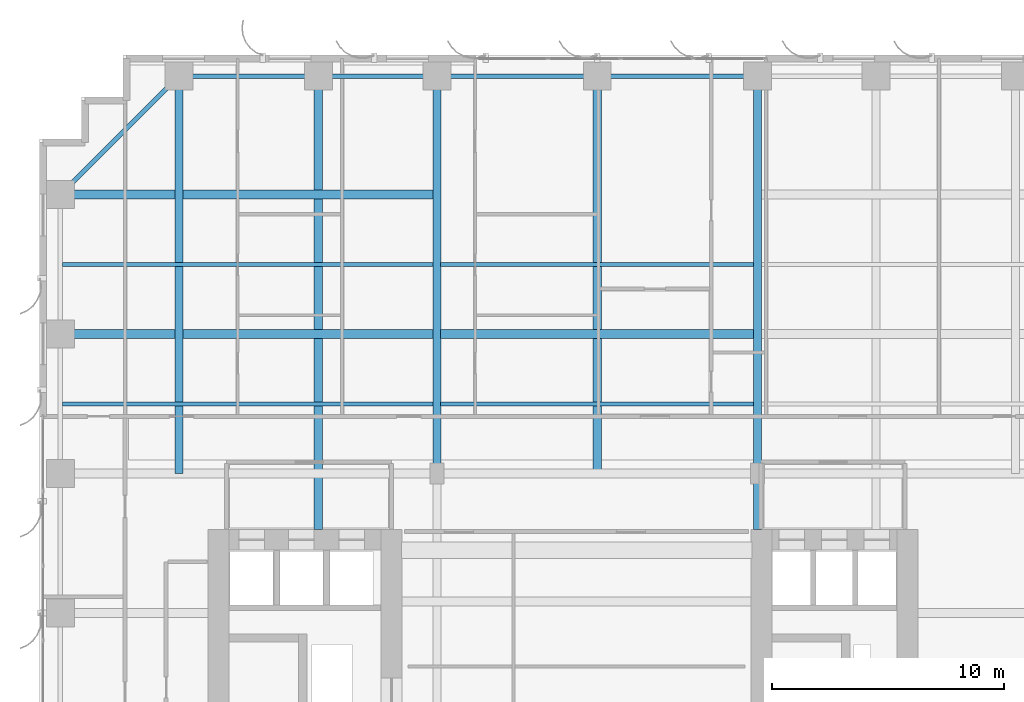
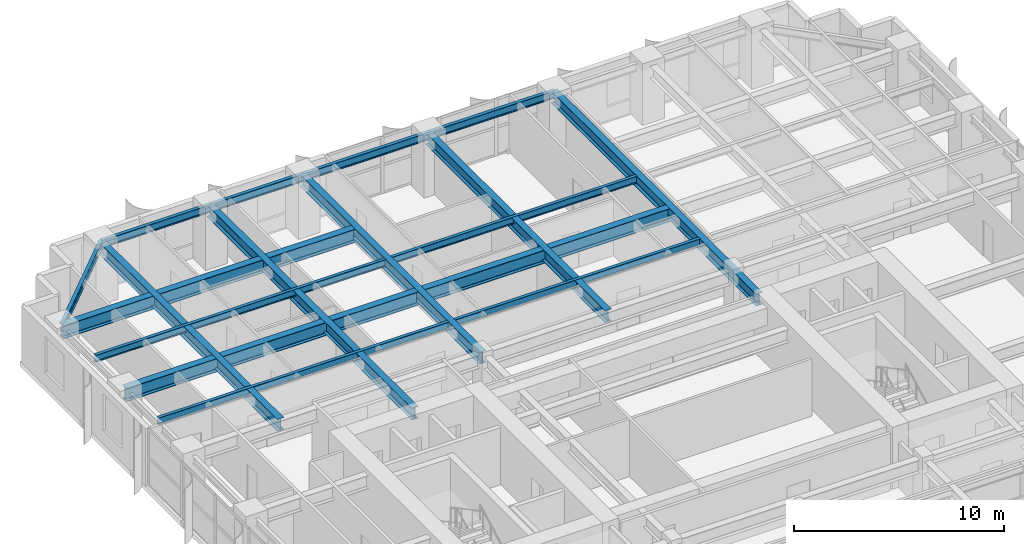
# One storey, part 10 of 23: 17 beams.
"""IFC4 building model written with IfcOpenShell, lengths in metres."""

from ifc_helpers import new_model, si_unit, direction, frame, origin, origin_2d, place, context, subcontext, project, spatial, i_section, extrude, source, transform, mapped, material, material_profile, profile_set, type_object, element, save


model = new_model("IFC4")

# Units and contexts
model_context = context("Model", 3, precision=1e-05, world=origin(), true_north=direction((0.0, 1.0)))
body_context = subcontext(model_context, "Body", "Model", "MODEL_VIEW")
ifc_project = project(units=[si_unit("LENGTHUNIT", "METRE"), si_unit("AREAUNIT", "SQUARE_METRE"), si_unit("VOLUMEUNIT", "CUBIC_METRE"), si_unit("PLANEANGLEUNIT", "RADIAN"), si_unit("MASSUNIT", "GRAM", prefix="KILO")], contexts=[model_context])

# Site, building, storey
site_placement = place(None, origin())
site = spatial("IfcSite", under=ifc_project, at=site_placement, CompositionType="ELEMENT")
building_placement = place(site_placement, origin())
building = spatial("IfcBuilding", under=site, at=building_placement, Name="Khoralis Quay Care Tower", CompositionType="ELEMENT")
storey_placement = place(building_placement, frame((0.0, 0.0, 33.300048828125)))
storey = spatial("IfcBuildingStorey", under=building, at=storey_placement, Name="L08", CompositionType="ELEMENT", Elevation=33.300048828125)

# Beams
ifc_material = material(Name="Steel S355", Category="steel")
ifc_material_profile_1 = material_profile(ifc_material, i_section(OverallWidth=0.18994140625, OverallDepth=0.449951171875, WebThickness=0.009521484375, FlangeThickness=0.0146484375, FilletRadius=0.02099609375, at=origin_2d()), Name="Steel S355")
ifc_profile_set_1 = profile_set([ifc_material_profile_1], Name="Steel S355")
beam_type_1 = type_object("IfcBeamType", Name="BM-IPE450", PredefinedType="SPANDREL", material=ifc_profile_set_1)
shared_shape_1 = source(origin(), body_context, "Body", "SweptSolid", [
    extrude(i_section(OverallWidth=0.18994140625, OverallDepth=0.449951171875, WebThickness=0.009521484375, FlangeThickness=0.0146484375, FilletRadius=0.02099609375, at=origin_2d()), origin(), (0.0, 0.0, 1.0), 6.0),
])
beam_1_placement = place(storey_placement, frame((6.0, 47.10009765625, 3.094970703125), z_axis=(1.0, 0.0, 0.0), x_axis=(0.0, 1.0, 0.0)))
element("IfcBeam", 1, at=beam_1_placement, inside=storey, type_object=beam_type_1, Name="BM-TSP-L08-07", PredefinedType="SPANDREL", context=body_context, shape_type="MappedRepresentation", body=[
    mapped(shared_shape_1, transform((0.0, 0.0, 0.0), scale=1.0)),
])
shared_shape_2 = source(origin(), body_context, "Body", "SweptSolid", [
    extrude(i_section(OverallWidth=0.18994140625, OverallDepth=0.449951171875, WebThickness=0.009521484375, FlangeThickness=0.0146484375, FilletRadius=0.02099609375, at=origin_2d()), origin(), (0.0, 0.0, 1.0), 5.10009765625),
])
beam_2_placement = place(storey_placement, frame((12.0, 47.10009765625, 3.094970703125), z_axis=(1.0, 0.0, 0.0), x_axis=(0.0, 1.0, 0.0)))
element("IfcBeam", 2, at=beam_2_placement, inside=storey, type_object=beam_type_1, Name="BM-TSP-L08-08", PredefinedType="SPANDREL", context=body_context, shape_type="MappedRepresentation", body=[
    mapped(shared_shape_2, transform((0.0, 0.0, 0.0), scale=1.0)),
])
shared_shape_3 = source(origin(), body_context, "Body", "SweptSolid", [
    extrude(i_section(OverallWidth=0.18994140625, OverallDepth=0.449951171875, WebThickness=0.009521484375, FlangeThickness=0.0146484375, FilletRadius=0.02099609375, at=origin_2d()), origin(), (0.0, 0.0, 1.0), 6.89990234375),
])
for number, where, z_axis, x_axis, name in (
    (3, (17.10009765625, 47.10009765625, 3.094970703125), (1.0, 0.0, 0.0), (0.0, 1.0, 0.0), "BM-TSP-L08-09"),
    (4, (24.0, 47.10009765625, 3.094970703125), (1.0, 0.0, 0.0), (0.0, 1.0, 0.0), "BM-TSP-L08-10"),
):
    element("IfcBeam", number, at=place(storey_placement, frame(where, z_axis=z_axis, x_axis=x_axis)), inside=storey, type_object=beam_type_1, Name=name, PredefinedType="SPANDREL", context=body_context, shape_type="MappedRepresentation", body=[
        mapped(shared_shape_3, transform((0.0, 0.0, 0.0), scale=1.0)),
    ])
shared_shape_4 = source(origin(), body_context, "Body", "SweptSolid", [
    extrude(i_section(OverallWidth=0.18994140625, OverallDepth=0.449951171875, WebThickness=0.009521484375, FlangeThickness=0.0146484375, FilletRadius=0.02099609375, at=origin_2d()), origin(), (0.0, 0.0, 1.0), 7.212646484375),
])
beam_3_placement = place(storey_placement, frame((6.0, 47.10009765625, 3.094970703125), z_axis=(-0.707106781187, -0.707106781187, 0.0), x_axis=(0.707106781187, -0.707106781187, 0.0)))
element("IfcBeam", 5, at=beam_3_placement, inside=storey, type_object=beam_type_1, Name="BM-TCR-L08-27", PredefinedType="SPANDREL", context=body_context, shape_type="MappedRepresentation", body=[
    mapped(shared_shape_4, transform((0.0, 0.0, 0.0), scale=1.0)),
])
ifc_material_profile_2 = material_profile(ifc_material, i_section(OverallWidth=0.381103515625, OverallDepth=0.77294921875, WebThickness=0.0166015625, FlangeThickness=0.027587890625, FilletRadius=0.02197265625, at=origin_2d()), Name="Steel S355")
ifc_profile_set_2 = profile_set([ifc_material_profile_2], Name="Steel S355")
beam_type_2 = type_object("IfcBeamType", Name="BM-W760X257", PredefinedType="BEAM", material=ifc_profile_set_2)
shared_shape_5 = source(origin(), body_context, "Body", "SweptSolid", [
    extrude(i_section(OverallWidth=0.381103515625, OverallDepth=0.77294921875, WebThickness=0.0166015625, FlangeThickness=0.027587890625, FilletRadius=0.02197265625, at=origin_2d()), origin(), (0.0, 0.0, 1.0), 16.03466796875),
])
for number, where, z_axis, x_axis, name in (
    (6, (0.89990234375, 36.0, 2.933349609375), (1.0, 0.0, 0.0), (0.0, 1.0, 0.0), "BM-TGXW-L08-360"),
    (7, (0.89990234375, 42.0, 2.933349609375), (1.0, 0.0, 0.0), (0.0, 1.0, 0.0), "BM-TGXW-L08-420"),
):
    element("IfcBeam", number, at=place(storey_placement, frame(where, z_axis=z_axis, x_axis=x_axis)), inside=storey, type_object=beam_type_2, Name=name, PredefinedType="BEAM", context=body_context, shape_type="MappedRepresentation", body=[
        mapped(shared_shape_5, transform((0.0, 0.0, 0.0), scale=1.0)),
    ])
shared_shape_6 = source(origin(), body_context, "Body", "SweptSolid", [
    extrude(i_section(OverallWidth=0.381103515625, OverallDepth=0.77294921875, WebThickness=0.0166015625, FlangeThickness=0.027587890625, FilletRadius=0.02197265625, at=origin_2d()), origin(), (0.0, 0.0, 1.0), 13.46923828125),
])
beam_4_placement = place(storey_placement, frame((17.265380859375, 36.0, 2.933349609375), z_axis=(1.0, 0.0, 0.0), x_axis=(0.0, 1.0, 0.0)))
element("IfcBeam", 8, at=beam_4_placement, inside=storey, type_object=beam_type_2, Name="BM-TGCC-L08-360", PredefinedType="BEAM", context=body_context, shape_type="MappedRepresentation", body=[
    mapped(shared_shape_6, transform((0.0, 0.0, 0.0), scale=1.0)),
])
ifc_material_profile_3 = material_profile(ifc_material, i_section(OverallWidth=0.35498046875, OverallDepth=0.695068359375, WebThickness=0.015380859375, FlangeThickness=0.02490234375, FilletRadius=0.02001953125, at=origin_2d()), Name="Steel S355")
ifc_profile_set_3 = profile_set([ifc_material_profile_3], Name="Steel S355")
beam_type_3 = type_object("IfcBeamType", Name="BM-W690X217", PredefinedType="BEAM", material=ifc_profile_set_3)
shared_shape_7 = source(origin(), body_context, "Body", "SweptSolid", [
    extrude(i_section(OverallWidth=0.35498046875, OverallDepth=0.695068359375, WebThickness=0.015380859375, FlangeThickness=0.02490234375, FilletRadius=0.02001953125, at=origin_2d()), origin(), (0.0, 0.0, 1.0), 17.10009765625),
])
for number, where, z_axis, x_axis, name in (
    (9, (6.0, 30.0, 2.972412109375), (0.0, 1.0, 0.0), (-1.0, 0.0, 0.0), "BM-TGYN-L08-60"),
    (10, (17.10009765625, 30.0, 2.972412109375), (0.0, 1.0, 0.0), (-1.0, 0.0, 0.0), "BM-TGYN-L08-171"),
    (11, (24.0, 30.0, 2.972412109375), (0.0, 1.0, 0.0), (-1.0, 0.0, 0.0), "BM-TGYN-L08-240"),
):
    element("IfcBeam", number, at=place(storey_placement, frame(where, z_axis=z_axis, x_axis=x_axis)), inside=storey, type_object=beam_type_3, Name=name, PredefinedType="BEAM", context=body_context, shape_type="MappedRepresentation", body=[
        mapped(shared_shape_7, transform((0.0, 0.0, 0.0), scale=1.0)),
    ])
shared_shape_8 = source(origin(), body_context, "Body", "SweptSolid", [
    extrude(i_section(OverallWidth=0.35498046875, OverallDepth=0.695068359375, WebThickness=0.015380859375, FlangeThickness=0.02490234375, FilletRadius=0.02001953125, at=origin_2d()), origin(), (0.0, 0.0, 1.0), 19.502197265625),
])
for number, where, z_axis, x_axis, name in (
    (12, (12.0, 27.597900390625, 2.972412109375), (0.0, 1.0, 0.0), (-1.0, 0.0, 0.0), "BM-TGYN-L08-120"),
    (13, (30.89990234375, 27.597900390625, 2.972412109375), (0.0, 1.0, 0.0), (-1.0, 0.0, 0.0), "BM-TGYN-L08-309"),
):
    element("IfcBeam", number, at=place(storey_placement, frame(where, z_axis=z_axis, x_axis=x_axis)), inside=storey, type_object=beam_type_3, Name=name, PredefinedType="BEAM", context=body_context, shape_type="MappedRepresentation", body=[
        mapped(shared_shape_8, transform((0.0, 0.0, 0.0), scale=1.0)),
    ])
ifc_material_profile_4 = material_profile(ifc_material, i_section(OverallWidth=0.177978515625, OverallDepth=0.406982421875, WebThickness=0.0078125, FlangeThickness=0.0126953125, FilletRadius=0.012939453125, at=origin_2d()), Name="Steel S355")
ifc_profile_set_4 = profile_set([ifc_material_profile_4], Name="Steel S355")
beam_type_4 = type_object("IfcBeamType", Name="BM-W410X60", PredefinedType="JOIST", material=ifc_profile_set_4)
shared_shape_9 = source(origin(), body_context, "Body", "SweptSolid", [
    extrude(i_section(OverallWidth=0.177978515625, OverallDepth=0.406982421875, WebThickness=0.0078125, FlangeThickness=0.0126953125, FilletRadius=0.012939453125, at=origin_2d()), origin(), (0.0, 0.0, 1.0), 15.95361328125),
])
for number, where, z_axis, x_axis, name in (
    (14, (0.98095703125, 33.0, 3.116455078125), (1.0, 0.0, 0.0), (0.0, 1.0, 0.0), "BM-TJS-L08-32"),
    (15, (0.98095703125, 39.0, 3.116455078125), (1.0, 0.0, 0.0), (0.0, 1.0, 0.0), "BM-TJS-L08-35"),
):
    element("IfcBeam", number, at=place(storey_placement, frame(where, z_axis=z_axis, x_axis=x_axis)), inside=storey, type_object=beam_type_4, Name=name, PredefinedType="JOIST", context=body_context, shape_type="MappedRepresentation", body=[
        mapped(shared_shape_9, transform((0.0, 0.0, 0.0), scale=1.0)),
    ])
shared_shape_10 = source(origin(), body_context, "Body", "SweptSolid", [
    extrude(i_section(OverallWidth=0.177978515625, OverallDepth=0.406982421875, WebThickness=0.0078125, FlangeThickness=0.0126953125, FilletRadius=0.012939453125, at=origin_2d()), origin(), (0.0, 0.0, 1.0), 13.46923828125),
])
for number, where, z_axis, x_axis, name in (
    (16, (17.265380859375, 33.0, 3.116455078125), (1.0, 0.0, 0.0), (0.0, 1.0, 0.0), "BM-TJS-L08-34"),
    (17, (17.265380859375, 39.0, 3.116455078125), (1.0, 0.0, 0.0), (0.0, 1.0, 0.0), "BM-TJS-L08-37"),
):
    element("IfcBeam", number, at=place(storey_placement, frame(where, z_axis=z_axis, x_axis=x_axis)), inside=storey, type_object=beam_type_4, Name=name, PredefinedType="JOIST", context=body_context, shape_type="MappedRepresentation", body=[
        mapped(shared_shape_10, transform((0.0, 0.0, 0.0), scale=1.0)),
    ])

save(model, "model.ifc")
